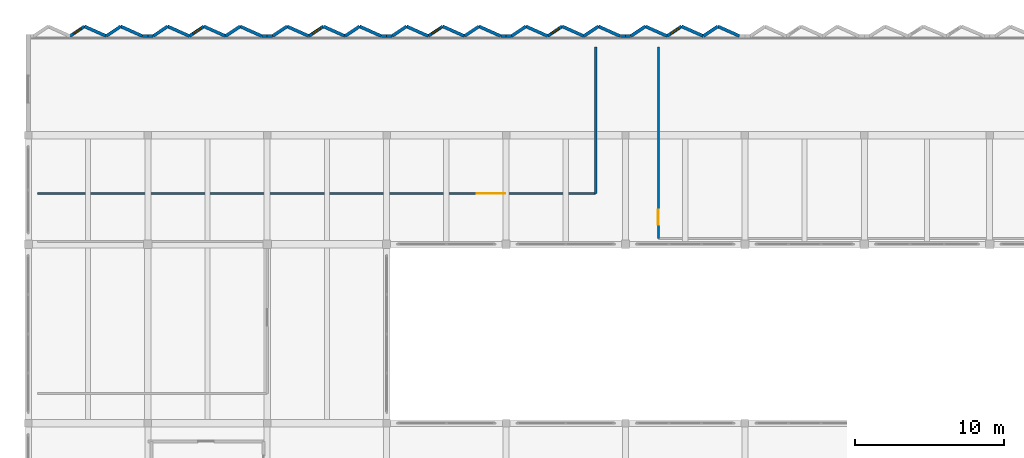
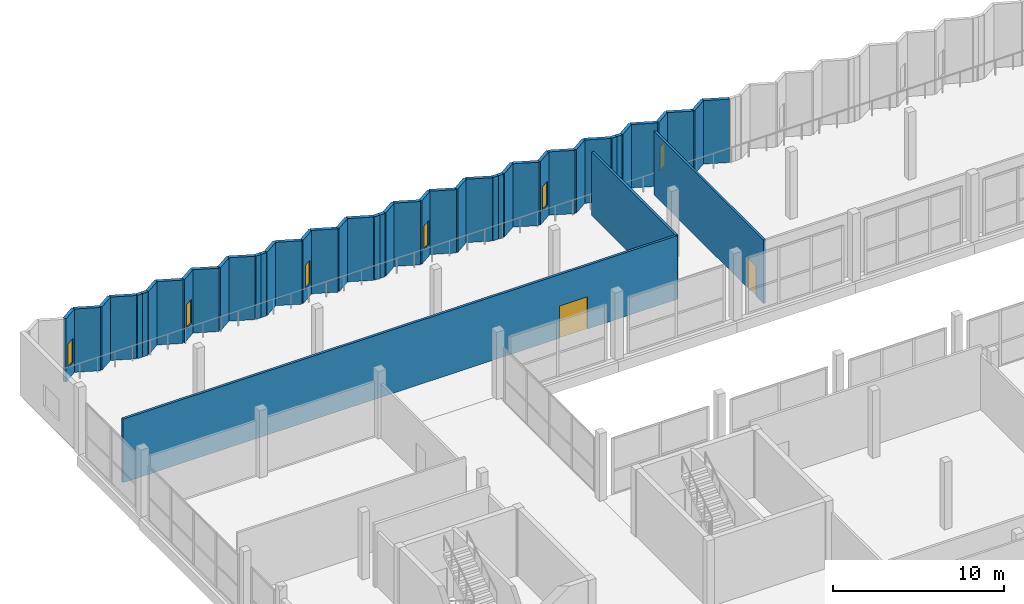
# One storey, part 35 of 47: 47 walls, 6 windows, 2 doors, 8 openings.
"""IFC4 building model written with IfcOpenShell, lengths in metres."""

from ifc_helpers import new_model, si_unit, direction, frame, frame_2d, origin, place, context, subcontext, project, spatial, rectangle, extrude, material, layer, layer_set, type_object, element, fill, save


model = new_model("IFC4")

# Units and contexts
model_context = context("Model", 3, precision=1e-05, world=origin(), true_north=direction((0.0, 1.0)))
body_context = subcontext(model_context, "Body", "Model", "MODEL_VIEW")
ifc_project = project(units=[si_unit("LENGTHUNIT", "METRE"), si_unit("AREAUNIT", "SQUARE_METRE"), si_unit("VOLUMEUNIT", "CUBIC_METRE"), si_unit("PLANEANGLEUNIT", "RADIAN"), si_unit("MASSUNIT", "GRAM", prefix="KILO")], contexts=[model_context])

# Site, building, storey
site_placement = place(None, origin())
site = spatial("IfcSite", under=ifc_project, at=site_placement, CompositionType="ELEMENT")
building_placement = place(site_placement, origin())
building = spatial("IfcBuilding", under=site, at=building_placement, Name="Vharandega Faculty of Natural Sciences", CompositionType="ELEMENT")
storey_placement = place(building_placement, frame((0.0, 0.0, 5.39990234375)))
storey = spatial("IfcBuildingStorey", under=building, at=storey_placement, Name="L01", CompositionType="ELEMENT", Elevation=5.39990234375)

# Walls
ifc_material_1 = material(Name="Precast concrete C40/50", Category="concrete")
ifc_layer_1 = layer(ifc_material_1, 0.2099609375, Name="Precast concrete C40/50")
ifc_layer_set_1 = layer_set([ifc_layer_1], Name="Precast concrete C40/50")
wall_type_1 = type_object("IfcWallType", Name="Commons Sawtooth Street Wall 210", PredefinedType="SOLIDWALL", material=ifc_layer_set_1)
for number, where, z_axis, x_axis, name in (
    (1, (7.64990234375, 110.949951171875, 0.0), (0.0, 0.0, 1.0), (1.0, 0.0, 0.0), "Exterior Wall EW-V2SHL-L01-2R"),
    (2, (8.0, 110.949951171875, 0.0), (0.0, 0.0, 1.0), (1.0, 0.0, 0.0), "Exterior Wall EW-V2SHL-L01-2L"),
    (3, (15.64990234375, 110.949951171875, 0.0), (0.0, 0.0, 1.0), (1.0, 0.0, 0.0), "Exterior Wall EW-V2SHL-L01-3R"),
    (4, (16.0, 110.949951171875, 0.0), (0.0, 0.0, 1.0), (1.0, 0.0, 0.0), "Exterior Wall EW-V2SHL-L01-3L"),
    (5, (23.64990234375, 110.949951171875, 0.0), (0.0, 0.0, 1.0), (1.0, 0.0, 0.0), "Exterior Wall EW-V2SHL-L01-4R"),
    (6, (24.0, 110.949951171875, 0.0), (0.0, 0.0, 1.0), (1.0, 0.0, 0.0), "Exterior Wall EW-V2SHL-L01-4L"),
    (7, (31.64990234375, 110.949951171875, 0.0), (0.0, 0.0, 1.0), (1.0, 0.0, 0.0), "Exterior Wall EW-V2SHL-L01-5R"),
    (8, (32.0, 110.949951171875, 0.0), (0.0, 0.0, 1.0), (1.0, 0.0, 0.0), "Exterior Wall EW-V2SHL-L01-5L"),
    (9, (39.64990234375, 110.949951171875, 0.0), (0.0, 0.0, 1.0), (1.0, 0.0, 0.0), "Exterior Wall EW-V2SHL-L01-6R"),
    (10, (40.0, 110.949951171875, 0.0), (0.0, 0.0, 1.0), (1.0, 0.0, 0.0), "Exterior Wall EW-V2SHL-L01-6L"),
):
    element("IfcWall", number, at=place(storey_placement, frame(where, z_axis=z_axis, x_axis=x_axis)), inside=storey, type_object=wall_type_1, Name=name, PredefinedType="SOLIDWALL", context=body_context, shape_type="SweptSolid", body=[
        extrude(rectangle(XDim=0.35009765625, YDim=0.2099609375, at=frame_2d((0.175048828125, 0.0))), origin(), (0.0, 0.0, 1.0), 4.52001953125),
    ])

# Wall, opening, window
wall_1_placement = place(storey_placement, frame((2.78662109375, 110.949951171875, 0.0), z_axis=(0.0, 0.0, 1.0), x_axis=(0.830858868059, 0.556483190553, 0.0)))
wall_1 = element("IfcWall", 11, at=wall_1_placement, inside=storey, type_object=wall_type_1, Name="Exterior Wall EW-V2SAW-L01-02G", PredefinedType="SOLIDWALL", context=body_context, shape_type="SweptSolid", body=[
    extrude(rectangle(XDim=1.168212890625, YDim=0.2099609375, at=frame_2d((0.583984375, 0.0))), origin(), (0.0, 0.0, 1.0), 4.52001953125),
])
opening_1_placement = place(wall_1_placement, frame((0.280029296875, 0.0, 0.85009765625)))
opening_1 = element("IfcOpeningElement", 12, at=opening_1_placement, cuts=wall_1, Name="Opening WN-07", PredefinedType="OPENING", context=body_context, shape_type="SweptSolid", body=[
    extrude(rectangle(XDim=0.64990234375, YDim=1.699951171875, at=frame_2d((0.324951171875, 0.85009765625))), frame((0.0, 0.114990234375, 0.0), z_axis=(0.0, -1.0, 0.0), x_axis=(1.0, 0.0, 0.0)), (0.0, 0.0, 1.0), 0.22998046875),
])
ifc_material_2 = material(Name="Double-glazed solar-control glass in thermally broken aluminium frame", Category="aluminium")
window_type = type_object("IfcWindowType", Name="WIN-COM-065x170", PartitioningType="SINGLE_PANEL", PredefinedType="WINDOW", material=ifc_material_2)
window_1_placement = place(opening_1_placement, origin())
window_1 = element("IfcWindow", 13, at=window_1_placement, inside=storey, type_object=window_type, Name="Window WIN-L01-0159", OverallHeight=1.699951171875, OverallWidth=0.64990234375, PartitioningType="SINGLE_PANEL", PredefinedType="WINDOW", context=body_context, shape_type="SweptSolid", body=[
    extrude(rectangle(XDim=0.64990234375, YDim=1.699951171875, at=frame_2d((0.324951171875, 0.85009765625))), frame((0.0, 0.030029296875, 0.0), z_axis=(0.0, -1.0, 0.0), x_axis=(1.0, 0.0, 0.0)), (0.0, 0.0, 1.0), 0.06005859375),
])
fill(opening_1, window_1)

# Walls
wall_2_placement = place(storey_placement, frame((3.75732421875, 111.60009765625, 0.0), z_axis=(0.0, 0.0, 1.0), x_axis=(0.913109384471, -0.407714669826, 0.0)))
element("IfcWall", 14, at=wall_2_placement, inside=storey, type_object=wall_type_1, Name="Exterior Wall EW-V2SAW-L01-02S", PredefinedType="SOLIDWALL", context=body_context, shape_type="SweptSolid", body=[
    extrude(rectangle(XDim=1.5947265625, YDim=0.2099609375, at=frame_2d((0.79736328125, 0.0))), origin(), (0.0, 0.0, 1.0), 4.52001953125),
])
wall_3_placement = place(storey_placement, frame((5.21337890625, 110.949951171875, 0.0), z_axis=(0.0, 0.0, 1.0), x_axis=(0.830858868059, 0.556483190553, 0.0)))
element("IfcWall", 15, at=wall_3_placement, inside=storey, type_object=wall_type_1, Name="Exterior Wall EW-V2SAW-L01-03G", PredefinedType="SOLIDWALL", context=body_context, shape_type="SweptSolid", body=[
    extrude(rectangle(XDim=1.168212890625, YDim=0.2099609375, at=frame_2d((0.583984375, 0.0))), origin(), (0.0, 0.0, 1.0), 4.52001953125),
])
wall_4_placement = place(storey_placement, frame((6.18408203125, 111.60009765625, 0.0), z_axis=(0.0, 0.0, 1.0), x_axis=(0.913083928543, -0.407771675618, 0.0)))
element("IfcWall", 16, at=wall_4_placement, inside=storey, type_object=wall_type_1, Name="Exterior Wall EW-V2SAW-L01-03S", PredefinedType="SOLIDWALL", context=body_context, shape_type="SweptSolid", body=[
    extrude(rectangle(XDim=1.594482421875, YDim=0.2099609375, at=frame_2d((0.79736328125, 0.0))), origin(), (0.0, 0.0, 1.0), 4.52001953125),
])
wall_5_placement = place(storey_placement, frame((8.360107421875, 110.949951171875, 0.0), z_axis=(0.0, 0.0, 1.0), x_axis=(0.830858868059, 0.556483190553, 0.0)))
element("IfcWall", 17, at=wall_5_placement, inside=storey, type_object=wall_type_1, Name="Exterior Wall EW-V2SAW-L01-04G", PredefinedType="SOLIDWALL", context=body_context, shape_type="SweptSolid", body=[
    extrude(rectangle(XDim=1.168212890625, YDim=0.2099609375, at=frame_2d((0.583984375, 0.0))), origin(), (0.0, 0.0, 1.0), 4.52001953125),
])
wall_6_placement = place(storey_placement, frame((9.330810546875, 111.60009765625, 0.0), z_axis=(0.0, 0.0, 1.0), x_axis=(0.913083928543, -0.407771675618, 0.0)))
element("IfcWall", 18, at=wall_6_placement, inside=storey, type_object=wall_type_1, Name="Exterior Wall EW-V2SAW-L01-04S", PredefinedType="SOLIDWALL", context=body_context, shape_type="SweptSolid", body=[
    extrude(rectangle(XDim=1.594482421875, YDim=0.2099609375, at=frame_2d((0.79736328125, 0.0))), origin(), (0.0, 0.0, 1.0), 4.52001953125),
])

# Wall, opening, window
wall_7_placement = place(storey_placement, frame((10.78662109375, 110.949951171875, 0.0), z_axis=(0.0, 0.0, 1.0), x_axis=(0.830858868059, 0.556483190553, 0.0)))
wall_7 = element("IfcWall", 19, at=wall_7_placement, inside=storey, type_object=wall_type_1, Name="Exterior Wall EW-V2SAW-L01-05G", PredefinedType="SOLIDWALL", context=body_context, shape_type="SweptSolid", body=[
    extrude(rectangle(XDim=1.168212890625, YDim=0.2099609375, at=frame_2d((0.583984375, 0.0))), origin(), (0.0, 0.0, 1.0), 4.52001953125),
])
opening_2_placement = place(wall_7_placement, frame((0.280029296875, 0.0, 0.85009765625)))
opening_2 = element("IfcOpeningElement", 20, at=opening_2_placement, cuts=wall_7, Name="Opening WN-07", PredefinedType="OPENING", context=body_context, shape_type="SweptSolid", body=[
    extrude(rectangle(XDim=0.64990234375, YDim=1.699951171875, at=frame_2d((0.324951171875, 0.85009765625))), frame((0.0, 0.114990234375, 0.0), z_axis=(0.0, -1.0, 0.0), x_axis=(1.0, 0.0, 0.0)), (0.0, 0.0, 1.0), 0.22998046875),
])
window_2_placement = place(opening_2_placement, origin())
window_2 = element("IfcWindow", 21, at=window_2_placement, inside=storey, type_object=window_type, Name="Window WIN-L01-0160", OverallHeight=1.699951171875, OverallWidth=0.64990234375, PartitioningType="SINGLE_PANEL", PredefinedType="WINDOW", context=body_context, shape_type="SweptSolid", body=[
    extrude(rectangle(XDim=0.64990234375, YDim=1.699951171875, at=frame_2d((0.324951171875, 0.85009765625))), frame((0.0, 0.030029296875, 0.0), z_axis=(0.0, -1.0, 0.0), x_axis=(1.0, 0.0, 0.0)), (0.0, 0.0, 1.0), 0.06005859375),
])
fill(opening_2, window_2)

# Walls
wall_8_placement = place(storey_placement, frame((11.75732421875, 111.60009765625, 0.0), z_axis=(0.0, 0.0, 1.0), x_axis=(0.913109384471, -0.407714669826, 0.0)))
element("IfcWall", 22, at=wall_8_placement, inside=storey, type_object=wall_type_1, Name="Exterior Wall EW-V2SAW-L01-05S", PredefinedType="SOLIDWALL", context=body_context, shape_type="SweptSolid", body=[
    extrude(rectangle(XDim=1.5947265625, YDim=0.2099609375, at=frame_2d((0.79736328125, 0.0))), origin(), (0.0, 0.0, 1.0), 4.52001953125),
])
wall_9_placement = place(storey_placement, frame((13.21337890625, 110.949951171875, 0.0), z_axis=(0.0, 0.0, 1.0), x_axis=(0.830858868059, 0.556483190553, 0.0)))
element("IfcWall", 23, at=wall_9_placement, inside=storey, type_object=wall_type_1, Name="Exterior Wall EW-V2SAW-L01-06G", PredefinedType="SOLIDWALL", context=body_context, shape_type="SweptSolid", body=[
    extrude(rectangle(XDim=1.168212890625, YDim=0.2099609375, at=frame_2d((0.583984375, 0.0))), origin(), (0.0, 0.0, 1.0), 4.52001953125),
])
wall_10_placement = place(storey_placement, frame((14.18408203125, 111.60009765625, 0.0), z_axis=(0.0, 0.0, 1.0), x_axis=(0.913083928543, -0.407771675618, 0.0)))
element("IfcWall", 24, at=wall_10_placement, inside=storey, type_object=wall_type_1, Name="Exterior Wall EW-V2SAW-L01-06S", PredefinedType="SOLIDWALL", context=body_context, shape_type="SweptSolid", body=[
    extrude(rectangle(XDim=1.594482421875, YDim=0.2099609375, at=frame_2d((0.79736328125, 0.0))), origin(), (0.0, 0.0, 1.0), 4.52001953125),
])
wall_11_placement = place(storey_placement, frame((16.360107421875, 110.949951171875, 0.0), z_axis=(0.0, 0.0, 1.0), x_axis=(0.830858868059, 0.556483190553, 0.0)))
element("IfcWall", 25, at=wall_11_placement, inside=storey, type_object=wall_type_1, Name="Exterior Wall EW-V2SAW-L01-07G", PredefinedType="SOLIDWALL", context=body_context, shape_type="SweptSolid", body=[
    extrude(rectangle(XDim=1.168212890625, YDim=0.2099609375, at=frame_2d((0.583984375, 0.0))), origin(), (0.0, 0.0, 1.0), 4.52001953125),
])
wall_12_placement = place(storey_placement, frame((17.330810546875, 111.60009765625, 0.0), z_axis=(0.0, 0.0, 1.0), x_axis=(0.913083928543, -0.407771675618, 0.0)))
element("IfcWall", 26, at=wall_12_placement, inside=storey, type_object=wall_type_1, Name="Exterior Wall EW-V2SAW-L01-07S", PredefinedType="SOLIDWALL", context=body_context, shape_type="SweptSolid", body=[
    extrude(rectangle(XDim=1.594482421875, YDim=0.2099609375, at=frame_2d((0.79736328125, 0.0))), origin(), (0.0, 0.0, 1.0), 4.52001953125),
])

# Wall, opening, window
wall_13_placement = place(storey_placement, frame((18.78662109375, 110.949951171875, 0.0), z_axis=(0.0, 0.0, 1.0), x_axis=(0.830858868059, 0.556483190553, 0.0)))
wall_13 = element("IfcWall", 27, at=wall_13_placement, inside=storey, type_object=wall_type_1, Name="Exterior Wall EW-V2SAW-L01-08G", PredefinedType="SOLIDWALL", context=body_context, shape_type="SweptSolid", body=[
    extrude(rectangle(XDim=1.168212890625, YDim=0.2099609375, at=frame_2d((0.583984375, 0.0))), origin(), (0.0, 0.0, 1.0), 4.52001953125),
])
opening_3_placement = place(wall_13_placement, frame((0.280029296875, 0.0, 0.85009765625)))
opening_3 = element("IfcOpeningElement", 28, at=opening_3_placement, cuts=wall_13, Name="Opening WN-07", PredefinedType="OPENING", context=body_context, shape_type="SweptSolid", body=[
    extrude(rectangle(XDim=0.64990234375, YDim=1.699951171875, at=frame_2d((0.324951171875, 0.85009765625))), frame((0.0, 0.114990234375, 0.0), z_axis=(0.0, -1.0, 0.0), x_axis=(1.0, 0.0, 0.0)), (0.0, 0.0, 1.0), 0.22998046875),
])
window_3_placement = place(opening_3_placement, origin())
window_3 = element("IfcWindow", 29, at=window_3_placement, inside=storey, type_object=window_type, Name="Window WIN-L01-0161", OverallHeight=1.699951171875, OverallWidth=0.64990234375, PartitioningType="SINGLE_PANEL", PredefinedType="WINDOW", context=body_context, shape_type="SweptSolid", body=[
    extrude(rectangle(XDim=0.64990234375, YDim=1.699951171875, at=frame_2d((0.324951171875, 0.85009765625))), frame((0.0, 0.030029296875, 0.0), z_axis=(0.0, -1.0, 0.0), x_axis=(1.0, 0.0, 0.0)), (0.0, 0.0, 1.0), 0.06005859375),
])
fill(opening_3, window_3)

# Walls
wall_14_placement = place(storey_placement, frame((19.75732421875, 111.60009765625, 0.0), z_axis=(0.0, 0.0, 1.0), x_axis=(0.913109384471, -0.407714669826, 0.0)))
element("IfcWall", 30, at=wall_14_placement, inside=storey, type_object=wall_type_1, Name="Exterior Wall EW-V2SAW-L01-08S", PredefinedType="SOLIDWALL", context=body_context, shape_type="SweptSolid", body=[
    extrude(rectangle(XDim=1.5947265625, YDim=0.2099609375, at=frame_2d((0.79736328125, 0.0))), origin(), (0.0, 0.0, 1.0), 4.52001953125),
])
wall_15_placement = place(storey_placement, frame((21.21337890625, 110.949951171875, 0.0), z_axis=(0.0, 0.0, 1.0), x_axis=(0.830858868059, 0.556483190553, 0.0)))
element("IfcWall", 31, at=wall_15_placement, inside=storey, type_object=wall_type_1, Name="Exterior Wall EW-V2SAW-L01-09G", PredefinedType="SOLIDWALL", context=body_context, shape_type="SweptSolid", body=[
    extrude(rectangle(XDim=1.168212890625, YDim=0.2099609375, at=frame_2d((0.583984375, 0.0))), origin(), (0.0, 0.0, 1.0), 4.52001953125),
])
wall_16_placement = place(storey_placement, frame((22.18408203125, 111.60009765625, 0.0), z_axis=(0.0, 0.0, 1.0), x_axis=(0.913083928543, -0.407771675618, 0.0)))
element("IfcWall", 32, at=wall_16_placement, inside=storey, type_object=wall_type_1, Name="Exterior Wall EW-V2SAW-L01-09S", PredefinedType="SOLIDWALL", context=body_context, shape_type="SweptSolid", body=[
    extrude(rectangle(XDim=1.594482421875, YDim=0.2099609375, at=frame_2d((0.79736328125, 0.0))), origin(), (0.0, 0.0, 1.0), 4.52001953125),
])
wall_17_placement = place(storey_placement, frame((24.360107421875, 110.949951171875, 0.0), z_axis=(0.0, 0.0, 1.0), x_axis=(0.830858868059, 0.556483190553, 0.0)))
element("IfcWall", 33, at=wall_17_placement, inside=storey, type_object=wall_type_1, Name="Exterior Wall EW-V2SAW-L01-10G", PredefinedType="SOLIDWALL", context=body_context, shape_type="SweptSolid", body=[
    extrude(rectangle(XDim=1.168212890625, YDim=0.2099609375, at=frame_2d((0.583984375, 0.0))), origin(), (0.0, 0.0, 1.0), 4.52001953125),
])
wall_18_placement = place(storey_placement, frame((25.330810546875, 111.60009765625, 0.0), z_axis=(0.0, 0.0, 1.0), x_axis=(0.913083928543, -0.407771675618, 0.0)))
element("IfcWall", 34, at=wall_18_placement, inside=storey, type_object=wall_type_1, Name="Exterior Wall EW-V2SAW-L01-10S", PredefinedType="SOLIDWALL", context=body_context, shape_type="SweptSolid", body=[
    extrude(rectangle(XDim=1.594482421875, YDim=0.2099609375, at=frame_2d((0.79736328125, 0.0))), origin(), (0.0, 0.0, 1.0), 4.52001953125),
])

# Wall, opening, window
wall_19_placement = place(storey_placement, frame((26.78662109375, 110.949951171875, 0.0), z_axis=(0.0, 0.0, 1.0), x_axis=(0.830858868059, 0.556483190553, 0.0)))
wall_19 = element("IfcWall", 35, at=wall_19_placement, inside=storey, type_object=wall_type_1, Name="Exterior Wall EW-V2SAW-L01-11G", PredefinedType="SOLIDWALL", context=body_context, shape_type="SweptSolid", body=[
    extrude(rectangle(XDim=1.168212890625, YDim=0.2099609375, at=frame_2d((0.583984375, 0.0))), origin(), (0.0, 0.0, 1.0), 4.52001953125),
])
opening_4_placement = place(wall_19_placement, frame((0.280029296875, 0.0, 0.85009765625)))
opening_4 = element("IfcOpeningElement", 36, at=opening_4_placement, cuts=wall_19, Name="Opening WN-07", PredefinedType="OPENING", context=body_context, shape_type="SweptSolid", body=[
    extrude(rectangle(XDim=0.64990234375, YDim=1.699951171875, at=frame_2d((0.324951171875, 0.85009765625))), frame((0.0, 0.114990234375, 0.0), z_axis=(0.0, -1.0, 0.0), x_axis=(1.0, 0.0, 0.0)), (0.0, 0.0, 1.0), 0.22998046875),
])
window_4_placement = place(opening_4_placement, origin())
window_4 = element("IfcWindow", 37, at=window_4_placement, inside=storey, type_object=window_type, Name="Window WIN-L01-0162", OverallHeight=1.699951171875, OverallWidth=0.64990234375, PartitioningType="SINGLE_PANEL", PredefinedType="WINDOW", context=body_context, shape_type="SweptSolid", body=[
    extrude(rectangle(XDim=0.64990234375, YDim=1.699951171875, at=frame_2d((0.324951171875, 0.85009765625))), frame((0.0, 0.030029296875, 0.0), z_axis=(0.0, -1.0, 0.0), x_axis=(1.0, 0.0, 0.0)), (0.0, 0.0, 1.0), 0.06005859375),
])
fill(opening_4, window_4)

# Walls
wall_20_placement = place(storey_placement, frame((27.75732421875, 111.60009765625, 0.0), z_axis=(0.0, 0.0, 1.0), x_axis=(0.913109384471, -0.407714669826, 0.0)))
element("IfcWall", 38, at=wall_20_placement, inside=storey, type_object=wall_type_1, Name="Exterior Wall EW-V2SAW-L01-11S", PredefinedType="SOLIDWALL", context=body_context, shape_type="SweptSolid", body=[
    extrude(rectangle(XDim=1.5947265625, YDim=0.2099609375, at=frame_2d((0.79736328125, 0.0))), origin(), (0.0, 0.0, 1.0), 4.52001953125),
])
wall_21_placement = place(storey_placement, frame((29.21337890625, 110.949951171875, 0.0), z_axis=(0.0, 0.0, 1.0), x_axis=(0.830858868059, 0.556483190553, 0.0)))
element("IfcWall", 39, at=wall_21_placement, inside=storey, type_object=wall_type_1, Name="Exterior Wall EW-V2SAW-L01-12G", PredefinedType="SOLIDWALL", context=body_context, shape_type="SweptSolid", body=[
    extrude(rectangle(XDim=1.168212890625, YDim=0.2099609375, at=frame_2d((0.583984375, 0.0))), origin(), (0.0, 0.0, 1.0), 4.52001953125),
])
wall_22_placement = place(storey_placement, frame((30.18408203125, 111.60009765625, 0.0), z_axis=(0.0, 0.0, 1.0), x_axis=(0.913083928543, -0.407771675618, 0.0)))
element("IfcWall", 40, at=wall_22_placement, inside=storey, type_object=wall_type_1, Name="Exterior Wall EW-V2SAW-L01-12S", PredefinedType="SOLIDWALL", context=body_context, shape_type="SweptSolid", body=[
    extrude(rectangle(XDim=1.594482421875, YDim=0.2099609375, at=frame_2d((0.79736328125, 0.0))), origin(), (0.0, 0.0, 1.0), 4.52001953125),
])
wall_23_placement = place(storey_placement, frame((32.360107421875, 110.949951171875, 0.0), z_axis=(0.0, 0.0, 1.0), x_axis=(0.830858868059, 0.556483190553, 0.0)))
element("IfcWall", 41, at=wall_23_placement, inside=storey, type_object=wall_type_1, Name="Exterior Wall EW-V2SAW-L01-13G", PredefinedType="SOLIDWALL", context=body_context, shape_type="SweptSolid", body=[
    extrude(rectangle(XDim=1.168212890625, YDim=0.2099609375, at=frame_2d((0.583984375, 0.0))), origin(), (0.0, 0.0, 1.0), 4.52001953125),
])
wall_24_placement = place(storey_placement, frame((33.330810546875, 111.60009765625, 0.0), z_axis=(0.0, 0.0, 1.0), x_axis=(0.913083928543, -0.407771675618, 0.0)))
element("IfcWall", 42, at=wall_24_placement, inside=storey, type_object=wall_type_1, Name="Exterior Wall EW-V2SAW-L01-13S", PredefinedType="SOLIDWALL", context=body_context, shape_type="SweptSolid", body=[
    extrude(rectangle(XDim=1.594482421875, YDim=0.2099609375, at=frame_2d((0.79736328125, 0.0))), origin(), (0.0, 0.0, 1.0), 4.52001953125),
])

# Wall, opening, window
wall_25_placement = place(storey_placement, frame((34.78662109375, 110.949951171875, 0.0), z_axis=(0.0, 0.0, 1.0), x_axis=(0.830858868059, 0.556483190553, 0.0)))
wall_25 = element("IfcWall", 43, at=wall_25_placement, inside=storey, type_object=wall_type_1, Name="Exterior Wall EW-V2SAW-L01-14G", PredefinedType="SOLIDWALL", context=body_context, shape_type="SweptSolid", body=[
    extrude(rectangle(XDim=1.168212890625, YDim=0.2099609375, at=frame_2d((0.583984375, 0.0))), origin(), (0.0, 0.0, 1.0), 4.52001953125),
])
opening_5_placement = place(wall_25_placement, frame((0.280029296875, 0.0, 0.85009765625)))
opening_5 = element("IfcOpeningElement", 44, at=opening_5_placement, cuts=wall_25, Name="Opening WN-07", PredefinedType="OPENING", context=body_context, shape_type="SweptSolid", body=[
    extrude(rectangle(XDim=0.64990234375, YDim=1.699951171875, at=frame_2d((0.324951171875, 0.85009765625))), frame((0.0, 0.114990234375, 0.0), z_axis=(0.0, -1.0, 0.0), x_axis=(1.0, 0.0, 0.0)), (0.0, 0.0, 1.0), 0.22998046875),
])
window_5_placement = place(opening_5_placement, origin())
window_5 = element("IfcWindow", 45, at=window_5_placement, inside=storey, type_object=window_type, Name="Window WIN-L01-0163", OverallHeight=1.699951171875, OverallWidth=0.64990234375, PartitioningType="SINGLE_PANEL", PredefinedType="WINDOW", context=body_context, shape_type="SweptSolid", body=[
    extrude(rectangle(XDim=0.64990234375, YDim=1.699951171875, at=frame_2d((0.324951171875, 0.85009765625))), frame((0.0, 0.030029296875, 0.0), z_axis=(0.0, -1.0, 0.0), x_axis=(1.0, 0.0, 0.0)), (0.0, 0.0, 1.0), 0.06005859375),
])
fill(opening_5, window_5)

# Walls
wall_26_placement = place(storey_placement, frame((35.75732421875, 111.60009765625, 0.0), z_axis=(0.0, 0.0, 1.0), x_axis=(0.913109384471, -0.407714669826, 0.0)))
element("IfcWall", 46, at=wall_26_placement, inside=storey, type_object=wall_type_1, Name="Exterior Wall EW-V2SAW-L01-14S", PredefinedType="SOLIDWALL", context=body_context, shape_type="SweptSolid", body=[
    extrude(rectangle(XDim=1.5947265625, YDim=0.2099609375, at=frame_2d((0.79736328125, 0.0))), origin(), (0.0, 0.0, 1.0), 4.52001953125),
])
wall_27_placement = place(storey_placement, frame((37.21337890625, 110.949951171875, 0.0), z_axis=(0.0, 0.0, 1.0), x_axis=(0.830858868059, 0.556483190553, 0.0)))
element("IfcWall", 47, at=wall_27_placement, inside=storey, type_object=wall_type_1, Name="Exterior Wall EW-V2SAW-L01-15G", PredefinedType="SOLIDWALL", context=body_context, shape_type="SweptSolid", body=[
    extrude(rectangle(XDim=1.168212890625, YDim=0.2099609375, at=frame_2d((0.583984375, 0.0))), origin(), (0.0, 0.0, 1.0), 4.52001953125),
])
wall_28_placement = place(storey_placement, frame((38.18408203125, 111.60009765625, 0.0), z_axis=(0.0, 0.0, 1.0), x_axis=(0.913083928543, -0.407771675618, 0.0)))
element("IfcWall", 48, at=wall_28_placement, inside=storey, type_object=wall_type_1, Name="Exterior Wall EW-V2SAW-L01-15S", PredefinedType="SOLIDWALL", context=body_context, shape_type="SweptSolid", body=[
    extrude(rectangle(XDim=1.594482421875, YDim=0.2099609375, at=frame_2d((0.79736328125, 0.0))), origin(), (0.0, 0.0, 1.0), 4.52001953125),
])
wall_29_placement = place(storey_placement, frame((40.360107421875, 110.949951171875, 0.0), z_axis=(0.0, 0.0, 1.0), x_axis=(0.830858868059, 0.556483190553, 0.0)))
element("IfcWall", 49, at=wall_29_placement, inside=storey, type_object=wall_type_1, Name="Exterior Wall EW-V2SAW-L01-16G", PredefinedType="SOLIDWALL", context=body_context, shape_type="SweptSolid", body=[
    extrude(rectangle(XDim=1.168212890625, YDim=0.2099609375, at=frame_2d((0.583984375, 0.0))), origin(), (0.0, 0.0, 1.0), 4.52001953125),
])
wall_30_placement = place(storey_placement, frame((41.330810546875, 111.60009765625, 0.0), z_axis=(0.0, 0.0, 1.0), x_axis=(0.913083928543, -0.407771675618, 0.0)))
element("IfcWall", 50, at=wall_30_placement, inside=storey, type_object=wall_type_1, Name="Exterior Wall EW-V2SAW-L01-16S", PredefinedType="SOLIDWALL", context=body_context, shape_type="SweptSolid", body=[
    extrude(rectangle(XDim=1.594482421875, YDim=0.2099609375, at=frame_2d((0.79736328125, 0.0))), origin(), (0.0, 0.0, 1.0), 4.52001953125),
])

# Wall, opening, window
wall_31_placement = place(storey_placement, frame((42.78662109375, 110.949951171875, 0.0), z_axis=(0.0, 0.0, 1.0), x_axis=(0.830858868059, 0.556483190553, 0.0)))
wall_31 = element("IfcWall", 51, at=wall_31_placement, inside=storey, type_object=wall_type_1, Name="Exterior Wall EW-V2SAW-L01-17G", PredefinedType="SOLIDWALL", context=body_context, shape_type="SweptSolid", body=[
    extrude(rectangle(XDim=1.168212890625, YDim=0.2099609375, at=frame_2d((0.583984375, 0.0))), origin(), (0.0, 0.0, 1.0), 4.52001953125),
])
opening_6_placement = place(wall_31_placement, frame((0.280029296875, 0.0, 0.85009765625)))
opening_6 = element("IfcOpeningElement", 52, at=opening_6_placement, cuts=wall_31, Name="Opening WN-07", PredefinedType="OPENING", context=body_context, shape_type="SweptSolid", body=[
    extrude(rectangle(XDim=0.64990234375, YDim=1.699951171875, at=frame_2d((0.324951171875, 0.85009765625))), frame((0.0, 0.114990234375, 0.0), z_axis=(0.0, -1.0, 0.0), x_axis=(1.0, 0.0, 0.0)), (0.0, 0.0, 1.0), 0.22998046875),
])
window_6_placement = place(opening_6_placement, origin())
window_6 = element("IfcWindow", 53, at=window_6_placement, inside=storey, type_object=window_type, Name="Window WIN-L01-0164", OverallHeight=1.699951171875, OverallWidth=0.64990234375, PartitioningType="SINGLE_PANEL", PredefinedType="WINDOW", context=body_context, shape_type="SweptSolid", body=[
    extrude(rectangle(XDim=0.64990234375, YDim=1.699951171875, at=frame_2d((0.324951171875, 0.85009765625))), frame((0.0, 0.030029296875, 0.0), z_axis=(0.0, -1.0, 0.0), x_axis=(1.0, 0.0, 0.0)), (0.0, 0.0, 1.0), 0.06005859375),
])
fill(opening_6, window_6)

# Walls
wall_32_placement = place(storey_placement, frame((43.75732421875, 111.60009765625, 0.0), z_axis=(0.0, 0.0, 1.0), x_axis=(0.913109384471, -0.407714669826, 0.0)))
element("IfcWall", 54, at=wall_32_placement, inside=storey, type_object=wall_type_1, Name="Exterior Wall EW-V2SAW-L01-17S", PredefinedType="SOLIDWALL", context=body_context, shape_type="SweptSolid", body=[
    extrude(rectangle(XDim=1.5947265625, YDim=0.2099609375, at=frame_2d((0.79736328125, 0.0))), origin(), (0.0, 0.0, 1.0), 4.52001953125),
])
wall_33_placement = place(storey_placement, frame((45.21337890625, 110.949951171875, 0.0), z_axis=(0.0, 0.0, 1.0), x_axis=(0.830858868059, 0.556483190553, 0.0)))
element("IfcWall", 55, at=wall_33_placement, inside=storey, type_object=wall_type_1, Name="Exterior Wall EW-V2SAW-L01-18G", PredefinedType="SOLIDWALL", context=body_context, shape_type="SweptSolid", body=[
    extrude(rectangle(XDim=1.168212890625, YDim=0.2099609375, at=frame_2d((0.583984375, 0.0))), origin(), (0.0, 0.0, 1.0), 4.52001953125),
])
wall_34_placement = place(storey_placement, frame((46.18408203125, 111.60009765625, 0.0), z_axis=(0.0, 0.0, 1.0), x_axis=(0.913083928543, -0.407771675618, 0.0)))
element("IfcWall", 56, at=wall_34_placement, inside=storey, type_object=wall_type_1, Name="Exterior Wall EW-V2SAW-L01-18S", PredefinedType="SOLIDWALL", context=body_context, shape_type="SweptSolid", body=[
    extrude(rectangle(XDim=1.594482421875, YDim=0.2099609375, at=frame_2d((0.79736328125, 0.0))), origin(), (0.0, 0.0, 1.0), 4.52001953125),
])

# Wall, opening, door
ifc_material_3 = material(Name="Gypsum fire-board on steel stud", Category="steel")
ifc_layer_2 = layer(ifc_material_3, 0.159912109375, Name="Gypsum fire-board on steel stud")
ifc_layer_set_2 = layer_set([ifc_layer_2], Name="Gypsum fire-board on steel stud")
wall_type_2 = type_object("IfcWallType", Name="Laboratory Fire Corridor Wall 160", PredefinedType="PARTITIONING", material=ifc_layer_set_2)
wall_35_placement = place(storey_placement, frame((0.60009765625, 100.39990234375, 0.0), z_axis=(0.0, 0.0, 1.0), x_axis=(1.0, 0.0, 0.0)))
wall_35 = element("IfcWall", 57, at=wall_35_placement, inside=storey, type_object=wall_type_2, Name="Interior Wall PW-L01-R10S", PredefinedType="PARTITIONING", context=body_context, shape_type="SweptSolid", body=[
    extrude(rectangle(XDim=37.39990234375, YDim=0.159912109375, at=frame_2d((18.699951171875, 0.0))), origin(), (0.0, 0.0, 1.0), 4.5400390625),
])
opening_7_placement = place(wall_35_placement, frame((29.449951171875, 0.0, 0.0)))
opening_7 = element("IfcOpeningElement", 58, at=opening_7_placement, cuts=wall_35, Name="Opening D0257", PredefinedType="OPENING", context=body_context, shape_type="SweptSolid", body=[
    extrude(rectangle(XDim=1.89990234375, YDim=2.300048828125, at=frame_2d((0.949951171875, 1.14990234375))), frame((0.0, 0.08984375, 0.0), z_axis=(0.0, -1.0, 0.0), x_axis=(1.0, 0.0, 0.0)), (0.0, 0.0, 1.0), 0.179931640625),
])
ifc_material_4 = material(Name="Solid-core hardwood timber fire door", Category="wood")
door_type_1 = type_object("IfcDoorType", Name="ID08-COMMONS-DBL-1900x2300", OperationType="DOUBLE_DOOR_SINGLE_SWING", PredefinedType="DOOR", material=ifc_material_4)
door_1_placement = place(opening_7_placement, origin())
door_1 = element("IfcDoor", 59, at=door_1_placement, inside=storey, type_object=door_type_1, Name="Science Library Reference Reading Hall Door D0257", OperationType="DOUBLE_DOOR_SINGLE_SWING", OverallHeight=2.300048828125, OverallWidth=1.89990234375, PredefinedType="DOOR", context=body_context, shape_type="SweptSolid", body=[
    extrude(rectangle(XDim=1.89990234375, YDim=2.300048828125, at=frame_2d((0.949951171875, 1.14990234375))), frame((0.0, 0.02490234375, 0.0), z_axis=(0.0, -1.0, 0.0), x_axis=(1.0, 0.0, 0.0)), (0.0, 0.0, 1.0), 0.050048828125),
])
fill(opening_7, door_1)

# Wall
wall_36_placement = place(storey_placement, frame((38.0, 100.39990234375, 0.0), z_axis=(0.0, 0.0, 1.0), x_axis=(0.0, 1.0, 0.0)))
element("IfcWall", 60, at=wall_36_placement, inside=storey, type_object=wall_type_2, Name="Interior Wall PW-L01-R10E", PredefinedType="PARTITIONING", context=body_context, shape_type="SweptSolid", body=[
    extrude(rectangle(XDim=9.800048828125, YDim=0.159912109375, at=frame_2d((4.89990234375, 0.0))), origin(), (0.0, 0.0, 1.0), 4.5400390625),
])

# Wall, opening, door
ifc_material_5 = material(Name="Gypsum acoustic partition", Category="gypsum")
ifc_layer_3 = layer(ifc_material_5, 0.139892578125, Name="Gypsum acoustic partition")
ifc_layer_set_3 = layer_set([ifc_layer_3], Name="Gypsum acoustic partition")
wall_type_3 = type_object("IfcWallType", Name="Room Partition Wall 140", PredefinedType="PARTITIONING", material=ifc_layer_set_3)
wall_37_placement = place(storey_placement, frame((42.199951171875, 97.39990234375, 0.0), z_axis=(0.0, 0.0, 1.0), x_axis=(0.0, 1.0, 0.0)))
wall_37 = element("IfcWall", 61, at=wall_37_placement, inside=storey, type_object=wall_type_3, Name="Interior Wall PW-L01-R11W", PredefinedType="PARTITIONING", context=body_context, shape_type="SweptSolid", body=[
    extrude(rectangle(XDim=12.800048828125, YDim=0.139892578125, at=frame_2d((6.39990234375, 0.0))), origin(), (0.0, 0.0, 1.0), 4.5400390625),
])
opening_8_placement = place(wall_37_placement, frame((0.89990234375, 0.0, 0.0)))
opening_8 = element("IfcOpeningElement", 62, at=opening_8_placement, cuts=wall_37, Name="Opening D0258", PredefinedType="OPENING", context=body_context, shape_type="SweptSolid", body=[
    extrude(rectangle(XDim=1.0, YDim=2.14990234375, at=frame_2d((0.5, 1.074951171875))), frame((0.0, 0.080078125, 0.0), z_axis=(0.0, -1.0, 0.0), x_axis=(1.0, 0.0, 0.0)), (0.0, 0.0, 1.0), 0.159912109375),
])
ifc_material_6 = material(Name="Solid-core hardwood timber fire door", Category="wood")
door_type_2 = type_object("IfcDoorType", Name="ID02-SEMINAR-1000x2150", OperationType="NOTDEFINED", PredefinedType="DOOR", material=ifc_material_6)
door_2_placement = place(opening_8_placement, origin())
door_2 = element("IfcDoor", 63, at=door_2_placement, inside=storey, type_object=door_type_2, Name="Periodicals and Study Lounge Door D0258", OperationType="SINGLE_SWING_LEFT", OverallHeight=2.14990234375, OverallWidth=1.0, PredefinedType="DOOR", context=body_context, shape_type="SweptSolid", body=[
    extrude(rectangle(XDim=1.0, YDim=2.14990234375, at=frame_2d((0.5, 1.074951171875))), frame((0.0, 0.02490234375, 0.0), z_axis=(0.0, -1.0, 0.0), x_axis=(1.0, 0.0, 0.0)), (0.0, 0.0, 1.0), 0.050048828125),
])
fill(opening_8, door_2)

save(model, "model.ifc")
